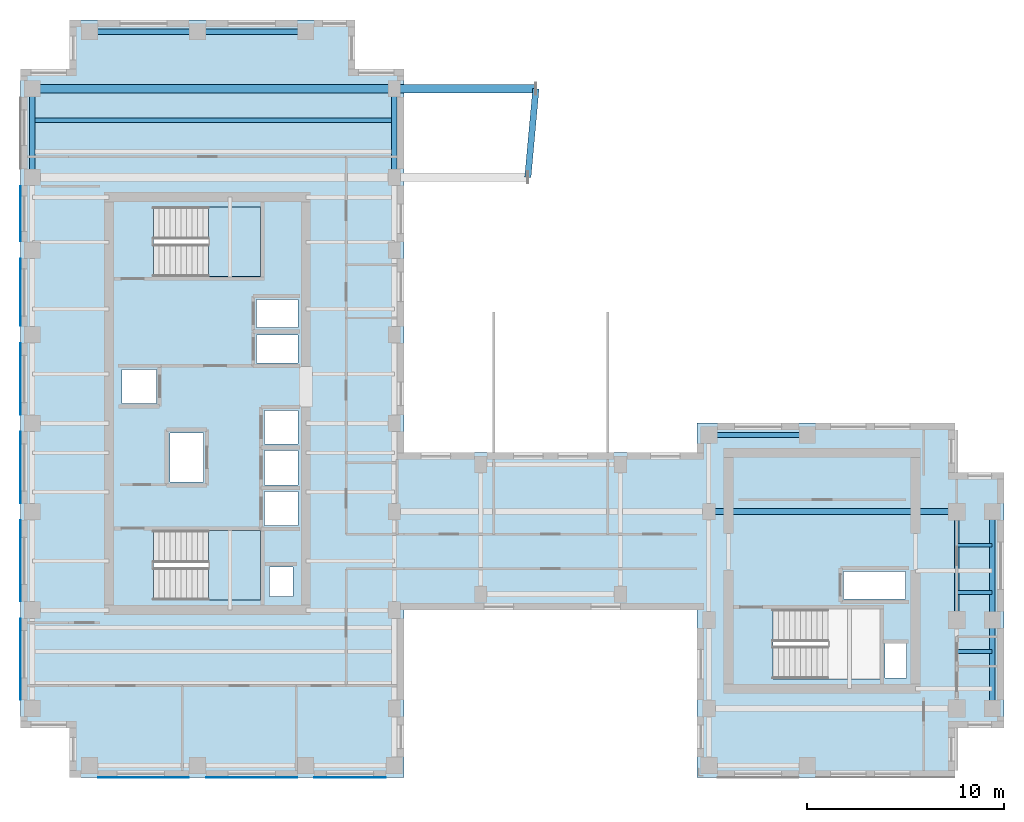
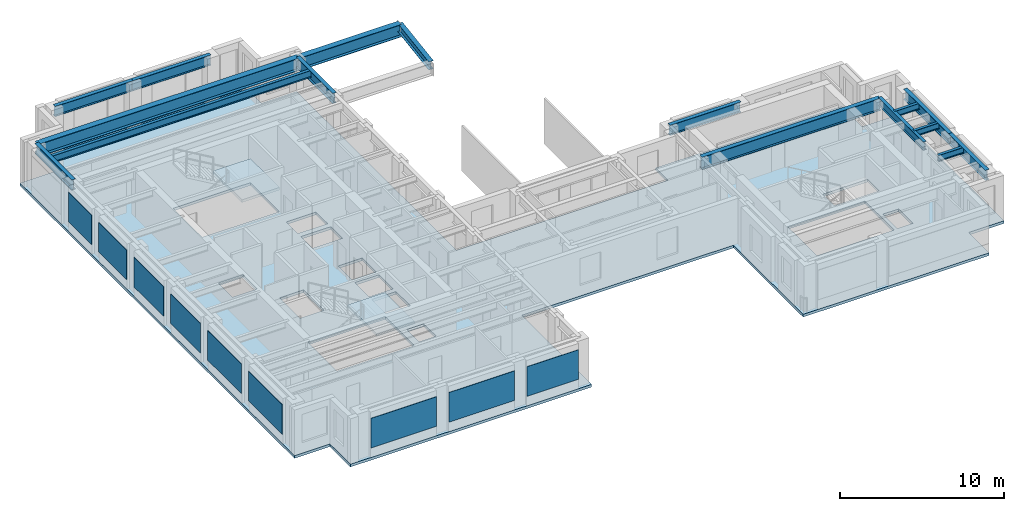
# One storey, part 2 of 11: 16 beams, 9 plates, 3 slabs, 2 elements without a shape of their own.
"""IFC4 building model written with IfcOpenShell, lengths in metres."""

from ifc_helpers import new_model, si_unit, direction, frame, origin, origin_2d, place, context, subcontext, project, spatial, polyline, rectangle, i_section, outline, extrude, source, transform, mapped, material, layer, layer_set, material_profile, profile_set, type_object, element, aggregate, save


model = new_model("IFC4")

# Units and contexts
model_context = context("Model", 3, precision=1e-05, world=origin(), true_north=direction((0.0, 1.0)))
body_context = subcontext(model_context, "Body", "Model", "MODEL_VIEW")
ifc_project = project(units=[si_unit("LENGTHUNIT", "METRE"), si_unit("AREAUNIT", "SQUARE_METRE"), si_unit("VOLUMEUNIT", "CUBIC_METRE"), si_unit("PLANEANGLEUNIT", "RADIAN"), si_unit("MASSUNIT", "GRAM", prefix="KILO")], contexts=[model_context])

# Site, building, storey
site_placement = place(None, origin())
site = spatial("IfcSite", under=ifc_project, at=site_placement, CompositionType="ELEMENT")
building_placement = place(site_placement, origin())
building = spatial("IfcBuilding", under=site, at=building_placement, Name="Kharzan Plaza Tower", CompositionType="ELEMENT")
storey_placement = place(building_placement, frame((0.0, 0.0, 234.0)))
storey = spatial("IfcBuildingStorey", under=building, at=storey_placement, Name="L63", CompositionType="ELEMENT", Elevation=234.0)

# Beams
ifc_material_1 = material(Name="Steel S355", Category="steel")
ifc_material_profile_1 = material_profile(ifc_material_1, i_section(OverallWidth=0.304931640625, OverallDepth=0.9189453125, WebThickness=0.017333984375, FlangeThickness=0.02783203125, at=origin_2d()), Name="W920x253")
ifc_profile_set_1 = profile_set([ifc_material_profile_1], Name="Steel S355")
beam_type_1 = type_object("IfcBeamType", Name="BM-FG920B", PredefinedType="BEAM", material=ifc_profile_set_1)
shared_shape_1 = source(origin(), body_context, "Body", "SweptSolid", [
    extrude(i_section(OverallWidth=0.304931640625, OverallDepth=0.9189453125, WebThickness=0.017333984375, FlangeThickness=0.02783203125, at=origin_2d()), origin(), (0.0, 0.0, 1.0), 12.60009765625),
])
beam_1_placement = place(storey_placement, frame((35.0, 13.5, 2.9404296875), z_axis=(1.0, 0.0, 0.0), x_axis=(0.0, 1.0, 0.0)))
element("IfcBeam", 1, at=beam_1_placement, inside=storey, type_object=beam_type_1, Name="L63 Primary Floor Girder", PredefinedType="BEAM", context=body_context, shape_type="MappedRepresentation", body=[
    mapped(shared_shape_1, transform((0.0, 0.0, 0.0), x_axis=(1.0, 0.0, 0.0), y_axis=(0.0, 1.0, 0.0), z_axis=(0.0, 0.0, 1.0))),
])
ifc_material_profile_2 = material_profile(ifc_material_1, i_section(OverallWidth=0.2099609375, OverallDepth=0.537109375, WebThickness=0.010986328125, FlangeThickness=0.017333984375, at=origin_2d()), Name="W530x101")
ifc_profile_set_2 = profile_set([ifc_material_profile_2], Name="Steel S355")
beam_type_2 = type_object("IfcBeamType", Name="BM-JST530B", PredefinedType="JOIST", material=ifc_profile_set_2)
shared_shape_2 = source(origin(), body_context, "Body", "SweptSolid", [
    extrude(i_section(OverallWidth=0.2099609375, OverallDepth=0.537109375, WebThickness=0.010986328125, FlangeThickness=0.017333984375, at=origin_2d()), origin(), (0.0, 0.0, 1.0), 18.39990234375),
])
beam_2_placement = place(storey_placement, frame((0.60009765625, 33.39990234375, 3.131591796875), z_axis=(1.0, 0.0, 0.0), x_axis=(0.0, 1.0, 0.0)))
element("IfcBeam", 2, at=beam_2_placement, inside=storey, type_object=beam_type_2, Name="L63 Wing A Composite Joist 05", PredefinedType="JOIST", context=body_context, shape_type="MappedRepresentation", body=[
    mapped(shared_shape_2, transform((0.0, 0.0, 0.0), x_axis=(1.0, 0.0, 0.0), y_axis=(0.0, 1.0, 0.0), z_axis=(0.0, 0.0, 1.0))),
])
ifc_material_profile_3 = material_profile(ifc_material_1, i_section(OverallWidth=0.41796875, OverallDepth=0.93701171875, WebThickness=0.019287109375, FlangeThickness=0.031982421875, at=origin_2d()), Name="W920x342")
ifc_profile_set_3 = profile_set([ifc_material_profile_3], Name="Steel S355")
beam_type_3 = type_object("IfcBeamType", Name="BM-ZTB920", PredefinedType="BEAM", material=ifc_profile_set_3)
shared_shape_3 = source(origin(), body_context, "Body", "SweptSolid", [
    extrude(i_section(OverallWidth=0.41796875, OverallDepth=0.93701171875, WebThickness=0.019287109375, FlangeThickness=0.031982421875, at=origin_2d()), origin(), (0.0, 0.0, 1.0), 18.39990234375),
])
beam_3_placement = place(storey_placement, frame((0.60009765625, 35.0, 2.931396484375), z_axis=(1.0, 0.0, 0.0), x_axis=(0.0, 1.0, 0.0)))
element("IfcBeam", 3, at=beam_3_placement, inside=storey, type_object=beam_type_3, Name="L63 Sky-Terrace Back-Span Girder ZTB1 (L64 G2)", PredefinedType="BEAM", context=body_context, shape_type="MappedRepresentation", body=[
    mapped(shared_shape_3, transform((0.0, 0.0, 0.0), x_axis=(1.0, 0.0, 0.0), y_axis=(0.0, 1.0, 0.0), z_axis=(0.0, 0.0, 1.0))),
])
ifc_material_profile_4 = material_profile(ifc_material_1, i_section(OverallWidth=0.41796875, OverallDepth=0.93701171875, WebThickness=0.019287109375, FlangeThickness=0.031982421875, at=origin_2d()), Name="W920x342")
ifc_profile_set_4 = profile_set([ifc_material_profile_4], Name="Steel S355")
beam_type_4 = type_object("IfcBeamType", Name="BM-ZTG920", PredefinedType="BEAM", material=ifc_profile_set_4)
shared_shape_4 = source(origin(), body_context, "Body", "SweptSolid", [
    extrude(i_section(OverallWidth=0.41796875, OverallDepth=0.93701171875, WebThickness=0.019287109375, FlangeThickness=0.031982421875, at=origin_2d()), origin(), (0.0, 0.0, 1.0), 7.199951171875),
])
beam_4_placement = place(storey_placement, frame((19.0, 35.0, 2.91650390625), z_axis=(1.0, 0.0, 0.0), x_axis=(0.0, 1.0, 0.0)))
element("IfcBeam", 4, at=beam_4_placement, inside=storey, type_object=beam_type_4, Name="L63 Sky-Terrace Cantilever Girder ZTG1 (L64 G2)", PredefinedType="BEAM", context=body_context, shape_type="MappedRepresentation", body=[
    mapped(shared_shape_4, transform((0.0, 0.0, 0.0), x_axis=(1.0, 0.0, 0.0), y_axis=(0.0, 1.0, 0.0), z_axis=(0.0, 0.0, 1.0))),
])
ifc_material_profile_5 = material_profile(ifc_material_1, i_section(OverallWidth=0.324951171875, OverallDepth=0.615966796875, WebThickness=0.013916015625, FlangeThickness=0.021484375, at=origin_2d()), Name="W610x174")
ifc_profile_set_5 = profile_set([ifc_material_profile_5], Name="Steel S355")
beam_type_5 = type_object("IfcBeamType", Name="BM-ZTT610", PredefinedType="BEAM", material=ifc_profile_set_5)
shared_shape_5 = source(origin(), body_context, "Body", "SweptSolid", [
    extrude(i_section(OverallWidth=0.324951171875, OverallDepth=0.615966796875, WebThickness=0.013916015625, FlangeThickness=0.021484375, at=origin_2d()), origin(), (0.0, 0.0, 1.0), 4.5185546875),
])
beam_5_placement = place(storey_placement, frame((25.7900390625, 30.5, 3.076904296875), z_axis=(0.09071599143, 0.995876804077, 0.0), x_axis=(-0.995876804077, 0.09071599143, 0.0)))
element("IfcBeam", 5, at=beam_5_placement, inside=storey, type_object=beam_type_5, Name="L63 Sky-Terrace Edge Trimmer Beam ZTT1 (L64)", PredefinedType="BEAM", context=body_context, shape_type="MappedRepresentation", body=[
    mapped(shared_shape_5, transform((0.0, 0.0, 0.0), x_axis=(1.0, 0.0, 0.0), y_axis=(0.0, 1.0, 0.0), z_axis=(0.0, 0.0, 1.0))),
])
ifc_material_profile_6 = material_profile(ifc_material_1, i_section(OverallWidth=0.22900390625, OverallDepth=0.612060546875, WebThickness=0.011962890625, FlangeThickness=0.01953125, at=origin_2d()), Name="W610x125")
ifc_profile_set_6 = profile_set([ifc_material_profile_6], Name="Steel S355")
beam_type_6 = type_object("IfcBeamType", Name="BM-FG610B", PredefinedType="BEAM", material=ifc_profile_set_6)
shared_shape_6 = source(origin(), body_context, "Body", "SweptSolid", [
    extrude(i_section(OverallWidth=0.22900390625, OverallDepth=0.612060546875, WebThickness=0.011962890625, FlangeThickness=0.01953125, at=origin_2d()), origin(), (0.0, 0.0, 1.0), 5.5),
])
beam_6_placement = place(storey_placement, frame((47.60009765625, 8.0, 3.093994140625), z_axis=(0.0, 1.0, 0.0), x_axis=(-1.0, 0.0, 0.0)))
element("IfcBeam", 6, at=beam_6_placement, inside=storey, type_object=beam_type_6, Name="L63 Interior Frame Girder", PredefinedType="BEAM", context=body_context, shape_type="MappedRepresentation", body=[
    mapped(shared_shape_6, transform((0.0, 0.0, 0.0), x_axis=(1.0, 0.0, 0.0), y_axis=(0.0, 1.0, 0.0), z_axis=(0.0, 0.0, 1.0))),
])
ifc_material_profile_7 = material_profile(ifc_material_1, i_section(OverallWidth=0.194091796875, OverallDepth=0.468994140625, WebThickness=0.011474609375, FlangeThickness=0.0205078125, at=origin_2d()), Name="W460x106")
ifc_profile_set_7 = profile_set([ifc_material_profile_7], Name="Steel S355")
beam_type_7 = type_object("IfcBeamType", Name="BM-JST460", PredefinedType="JOIST", material=ifc_profile_set_7)
shared_shape_7 = source(origin(), body_context, "Body", "SweptSolid", [
    extrude(i_section(OverallWidth=0.194091796875, OverallDepth=0.468994140625, WebThickness=0.011474609375, FlangeThickness=0.0205078125, at=origin_2d()), origin(), (0.0, 0.0, 1.0), 1.7998046875),
])
for number, where, z_axis, x_axis, name in (
    (7, (47.60009765625, 6.39990234375, 3.16552734375), (1.0, 0.0, 0.0), (0.0, 1.0, 0.0), "L63 Wing B Composite Joist 02"),
    (8, (47.60009765625, 9.39990234375, 3.16552734375), (1.0, 0.0, 0.0), (0.0, 1.0, 0.0), "L63 Wing B Composite Joist 03"),
    (9, (47.60009765625, 11.800048828125, 3.16552734375), (1.0, 0.0, 0.0), (0.0, 1.0, 0.0), "L63 Wing B Composite Joist 04"),
):
    element("IfcBeam", number, at=place(storey_placement, frame(where, z_axis=z_axis, x_axis=x_axis)), inside=storey, type_object=beam_type_7, Name=name, PredefinedType="JOIST", context=body_context, shape_type="MappedRepresentation", body=[
        mapped(shared_shape_7, transform((0.0, 0.0, 0.0), x_axis=(1.0, 0.0, 0.0), y_axis=(0.0, 1.0, 0.0), z_axis=(0.0, 0.0, 1.0))),
    ])
ifc_material_profile_8 = material_profile(ifc_material_1, i_section(OverallWidth=0.26708984375, OverallDepth=0.76611328125, WebThickness=0.014892578125, FlangeThickness=0.023681640625, at=origin_2d()), Name="W760x185")
ifc_profile_set_8 = profile_set([ifc_material_profile_8], Name="Steel S355")
beam_type_8 = type_object("IfcBeamType", Name="BM-SP760B", PredefinedType="SPANDREL", material=ifc_profile_set_8)
shared_shape_8 = source(origin(), body_context, "Body", "SweptSolid", [
    extrude(i_section(OverallWidth=0.26708984375, OverallDepth=0.76611328125, WebThickness=0.014892578125, FlangeThickness=0.023681640625, at=origin_2d()), origin(), (0.0, 0.0, 1.0), 5.0),
])
beam_7_placement = place(storey_placement, frame((35.0, 17.39990234375, 3.01708984375), z_axis=(1.0, 0.0, 0.0), x_axis=(0.0, 1.0, 0.0)))
element("IfcBeam", 10, at=beam_7_placement, inside=storey, type_object=beam_type_8, Name="L63 Perimeter Tube Spandrel", PredefinedType="SPANDREL", context=body_context, shape_type="MappedRepresentation", body=[
    mapped(shared_shape_8, transform((0.0, 0.0, 0.0), x_axis=(1.0, 0.0, 0.0), y_axis=(0.0, 1.0, 0.0), z_axis=(0.0, 0.0, 1.0))),
])
shared_shape_9 = source(origin(), body_context, "Body", "SweptSolid", [
    extrude(i_section(OverallWidth=0.26708984375, OverallDepth=0.76611328125, WebThickness=0.014892578125, FlangeThickness=0.023681640625, at=origin_2d()), origin(), (0.0, 0.0, 1.0), 4.5),
])
for number, where, z_axis, x_axis, name in (
    (11, (0.60009765625, 30.5, 3.01708984375), (0.0, 1.0, 0.0), (-1.0, 0.0, 0.0), "L63 Perimeter Tube Spandrel"),
    (12, (19.0, 30.5, 3.01708984375), (0.0, 1.0, 0.0), (-1.0, 0.0, 0.0), "L63 Perimeter Tube Spandrel"),
    (13, (49.39990234375, 3.5, 3.01708984375), (0.0, 1.0, 0.0), (-1.0, 0.0, 0.0), "L63 Perimeter Tube Spandrel"),
):
    element("IfcBeam", number, at=place(storey_placement, frame(where, z_axis=z_axis, x_axis=x_axis)), inside=storey, type_object=beam_type_8, Name=name, PredefinedType="SPANDREL", context=body_context, shape_type="MappedRepresentation", body=[
        mapped(shared_shape_9, transform((0.0, 0.0, 0.0), x_axis=(1.0, 0.0, 0.0), y_axis=(0.0, 1.0, 0.0), z_axis=(0.0, 0.0, 1.0))),
    ])
shared_shape_10 = source(origin(), body_context, "Body", "SweptSolid", [
    extrude(i_section(OverallWidth=0.26708984375, OverallDepth=0.76611328125, WebThickness=0.014892578125, FlangeThickness=0.023681640625, at=origin_2d()), origin(), (0.0, 0.0, 1.0), 5.5),
])
for number, where, z_axis, x_axis, name in (
    (14, (49.39990234375, 8.0, 3.01708984375), (0.0, 1.0, 0.0), (-1.0, 0.0, 0.0), "L63 Perimeter Tube Spandrel"),
    (15, (3.5, 37.89990234375, 3.01708984375), (1.0, 0.0, 0.0), (0.0, 1.0, 0.0), "L63 Perimeter Tube Spandrel"),
    (16, (9.0, 37.89990234375, 3.01708984375), (1.0, 0.0, 0.0), (0.0, 1.0, 0.0), "L63 Perimeter Tube Spandrel"),
):
    element("IfcBeam", number, at=place(storey_placement, frame(where, z_axis=z_axis, x_axis=x_axis)), inside=storey, type_object=beam_type_8, Name=name, PredefinedType="SPANDREL", context=body_context, shape_type="MappedRepresentation", body=[
        mapped(shared_shape_10, transform((0.0, 0.0, 0.0), x_axis=(1.0, 0.0, 0.0), y_axis=(0.0, 1.0, 0.0), z_axis=(0.0, 0.0, 1.0))),
    ])

# Slab
ifc_material_2 = material(Name="Concrete C40/50", Category="concrete")
ifc_layer_1 = layer(ifc_material_2, 0.199951171875)
ifc_layer_set_1 = layer_set([ifc_layer_1], Name="Concrete C40/50")
slab_type_1 = type_object("IfcSlabType", Name="SL-FLOOR-200", PredefinedType="FLOOR", material=ifc_layer_set_1)
slab_1_placement = place(storey_placement, frame((0.0, 0.0, -0.199951171875)))
element("IfcSlab", 17, at=slab_1_placement, inside=storey, type_object=slab_type_1, Name="L63 Composite Structural Floor Slab 200 mm", PredefinedType="FLOOR", context=body_context, shape_type="SweptSolid", body=[
    extrude(outline(polyline([(34.39990234375, 16.5), (19.5, 16.5), (19.5, 36.0), (17.0, 36.0), (17.0, 38.5), (2.5, 38.5), (2.5, 36.0), (0.0, 36.0), (0.0, 2.5), (2.5, 2.5), (2.5, 0.0), (19.5, 0.0), (19.5, 8.5), (34.39990234375, 8.5), (34.39990234375, 0.0), (47.5, 0.0), (47.5, 2.5), (50.0, 2.5), (50.0, 15.5), (47.5, 15.5), (47.5, 18.0), (34.39990234375, 18.0), (34.39990234375, 16.5)]), holes=[polyline([(12.199951171875, 12.550048828125), (6.75, 12.550048828125), (6.75, 9.0), (12.199951171875, 9.0), (12.199951171875, 12.550048828125)]), polyline([(14.10009765625, 12.800048828125), (14.10009765625, 14.530029296875), (12.39990234375, 14.530029296875), (12.39990234375, 12.800048828125), (14.10009765625, 12.800048828125)]), polyline([(9.300048828125, 15.0), (9.300048828125, 17.5), (7.60009765625, 17.5), (7.60009765625, 15.0), (9.300048828125, 15.0)]), polyline([(6.89990234375, 20.72998046875), (5.14990234375, 20.72998046875), (5.14990234375, 19.010009765625), (6.89990234375, 19.010009765625), (6.89990234375, 20.72998046875)]), polyline([(14.10009765625, 21.070068359375), (14.10009765625, 22.489990234375), (12.0, 22.489990234375), (12.0, 21.070068359375), (14.10009765625, 21.070068359375)]), polyline([(14.10009765625, 22.8701171875), (14.10009765625, 24.2900390625), (12.0, 24.2900390625), (12.0, 22.8701171875), (14.10009765625, 22.8701171875)]), polyline([(12.199951171875, 29.0), (6.75, 29.0), (6.75, 25.449951171875), (12.199951171875, 25.449951171875), (12.199951171875, 29.0)]), polyline([(45.050048828125, 5.050048828125), (45.050048828125, 6.800048828125), (43.949951171875, 6.800048828125), (43.949951171875, 5.050048828125), (45.050048828125, 5.050048828125)]), polyline([(43.699951171875, 5.0), (43.699951171875, 8.550048828125), (38.25, 8.550048828125), (38.25, 5.0), (43.699951171875, 5.0)]), polyline([(45.0, 9.070068359375), (45.0, 10.469970703125), (41.85009765625, 10.469970703125), (41.85009765625, 9.070068359375), (45.0, 9.070068359375)]), polyline([(13.85009765625, 9.199951171875), (13.85009765625, 10.699951171875), (12.64990234375, 10.699951171875), (12.64990234375, 9.199951171875), (13.85009765625, 9.199951171875)]), polyline([(14.10009765625, 14.8701171875), (14.10009765625, 16.60009765625), (12.39990234375, 16.60009765625), (12.39990234375, 14.8701171875), (14.10009765625, 14.8701171875)]), polyline([(14.10009765625, 16.93994140625), (14.10009765625, 18.64990234375), (12.39990234375, 18.64990234375), (12.39990234375, 16.93994140625), (14.10009765625, 16.93994140625)])]), origin(), (0.0, 0.0, 1.0), 0.199951171875),
])

# Stair, slab
stair_type_1 = type_object("IfcStairType", Name="STR-ST-1", PredefinedType="HALF_TURN_STAIR", material=ifc_material_2)
stair_1_placement = place(storey_placement, origin())
stair_1 = element("IfcStair", 18, at=stair_1_placement, inside=storey, type_object=stair_type_1, Name="L63 Protected Exit Stair ST-1", PredefinedType="HALF_TURN_STAIR")
ifc_layer_2 = layer(ifc_material_2, 0.219970703125)
ifc_layer_set_2 = layer_set([ifc_layer_2], Name="Concrete C40/50")
slab_type_2 = type_object("IfcSlabType", Name="SL-LANDING-220", PredefinedType="LANDING", material=ifc_layer_set_2)
slab_2_placement = place(storey_placement, frame((0.0, 0.0, 1.60009765625)))
slab_2 = element("IfcSlab", 19, at=slab_2_placement, type_object=slab_type_2, Name="ST-1 landing 1", PredefinedType="LANDING", context=body_context, shape_type="SweptSolid", body=[
    extrude(outline(polyline([(9.550048828125, 9.0), (12.199951171875, 9.0), (12.199951171875, 12.550048828125), (9.550048828125, 12.550048828125), (9.550048828125, 9.0)])), origin(), (0.0, 0.0, 1.0), 0.199951171875),
])
aggregate(stair_1, [slab_2])

stair_type_2 = type_object("IfcStairType", Name="STR-ST-2", PredefinedType="HALF_TURN_STAIR", material=ifc_material_2)
stair_2_placement = place(storey_placement, origin())
stair_2 = element("IfcStair", 20, at=stair_2_placement, inside=storey, type_object=stair_type_2, Name="L63 Protected Exit Stair ST-2", PredefinedType="HALF_TURN_STAIR")
slab_3_placement = place(storey_placement, frame((0.0, 0.0, 1.60009765625)))
slab_3 = element("IfcSlab", 21, at=slab_3_placement, type_object=slab_type_2, Name="ST-2 landing 1", PredefinedType="LANDING", context=body_context, shape_type="SweptSolid", body=[
    extrude(outline(polyline([(9.550048828125, 25.449951171875), (12.199951171875, 25.449951171875), (12.199951171875, 29.0), (9.550048828125, 29.0), (9.550048828125, 25.449951171875)])), origin(), (0.0, 0.0, 1.0), 0.199951171875),
])
aggregate(stair_2, [slab_3])

# Plates
ifc_material_3 = material(Name="Perforated Bronze-Anodized Aluminium", Category="aluminium")
ifc_layer_3 = layer(ifc_material_3, 0.030029296875)
ifc_layer_set_3 = layer_set([ifc_layer_3], Name="Perforated Bronze-Anodized Aluminium")
plate_type = type_object("IfcPlateType", Name="PLT-MASH-SCREEN", PredefinedType="SHEET", material=ifc_layer_set_3)
shared_shape_11 = source(origin(), body_context, "Body", "SweptSolid", [
    extrude(rectangle(XDim=3.614013671875, YDim=0.030029296875, at=origin_2d()), origin(), (0.0, 0.0, 1.0), 2.199951171875),
])
for number, where, z_axis, x_axis, name in (
    (22, (-0.012939453125, 20.25, 0.72998046875), (0.0, 0.0, 1.0), (0.0, -1.0, 0.0), "L63 Perforated Mashrabiya Solar Screen"),
    (23, (-0.012939453125, 15.75, 0.72998046875), (0.0, 0.0, 1.0), (0.0, -1.0, 0.0), "L63 Perforated Mashrabiya Solar Screen"),
    (24, (16.75, -0.012939453125, 0.72998046875), (0.0, 0.0, 1.0), (1.0, 0.0, 0.0), "L63 Perforated Mashrabiya Solar Screen"),
):
    element("IfcPlate", number, at=place(storey_placement, frame(where, z_axis=z_axis, x_axis=x_axis)), inside=storey, type_object=plate_type, Name=name, PredefinedType="SHEET", context=body_context, shape_type="MappedRepresentation", body=[
        mapped(shared_shape_11, transform((0.0, 0.0, 0.0), x_axis=(1.0, 0.0, 0.0), y_axis=(0.0, 1.0, 0.0), z_axis=(0.0, 0.0, 1.0))),
    ])
shared_shape_12 = source(origin(), body_context, "Body", "SweptSolid", [
    extrude(rectangle(XDim=2.81396484375, YDim=0.030029296875, at=origin_2d()), origin(), (0.0, 0.0, 1.0), 2.199951171875),
])
plate_1_placement = place(storey_placement, frame((-0.012939453125, 28.64990234375, 0.72998046875), z_axis=(0.0, 0.0, 1.0), x_axis=(0.0, -1.0, 0.0)))
element("IfcPlate", 25, at=plate_1_placement, inside=storey, type_object=plate_type, Name="L63 Perforated Mashrabiya Solar Screen", PredefinedType="SHEET", context=body_context, shape_type="MappedRepresentation", body=[
    mapped(shared_shape_12, transform((0.0, 0.0, 0.0), x_axis=(1.0, 0.0, 0.0), y_axis=(0.0, 1.0, 0.0), z_axis=(0.0, 0.0, 1.0))),
])
shared_shape_13 = source(origin(), body_context, "Body", "SweptSolid", [
    extrude(rectangle(XDim=4.114013671875, YDim=0.030029296875, at=origin_2d()), origin(), (0.0, 0.0, 1.0), 2.199951171875),
])
for number, where, z_axis, x_axis, name in (
    (26, (-0.012939453125, 11.0, 0.72998046875), (0.0, 0.0, 1.0), (0.0, -1.0, 0.0), "L63 Perforated Mashrabiya Solar Screen"),
    (27, (-0.012939453125, 6.0, 0.72998046875), (0.0, 0.0, 1.0), (0.0, -1.0, 0.0), "L63 Perforated Mashrabiya Solar Screen"),
):
    element("IfcPlate", number, at=place(storey_placement, frame(where, z_axis=z_axis, x_axis=x_axis)), inside=storey, type_object=plate_type, Name=name, PredefinedType="SHEET", context=body_context, shape_type="MappedRepresentation", body=[
        mapped(shared_shape_13, transform((0.0, 0.0, 0.0), x_axis=(1.0, 0.0, 0.0), y_axis=(0.0, 1.0, 0.0), z_axis=(0.0, 0.0, 1.0))),
    ])
shared_shape_14 = source(origin(), body_context, "Body", "SweptSolid", [
    extrude(rectangle(XDim=4.614013671875, YDim=0.030029296875, at=origin_2d()), origin(), (0.0, 0.0, 1.0), 2.199951171875),
])
for number, where, z_axis, x_axis, name in (
    (28, (6.25, -0.012939453125, 0.72998046875), (0.0, 0.0, 1.0), (1.0, 0.0, 0.0), "L63 Perforated Mashrabiya Solar Screen"),
    (29, (11.75, -0.012939453125, 0.72998046875), (0.0, 0.0, 1.0), (1.0, 0.0, 0.0), "L63 Perforated Mashrabiya Solar Screen"),
):
    element("IfcPlate", number, at=place(storey_placement, frame(where, z_axis=z_axis, x_axis=x_axis)), inside=storey, type_object=plate_type, Name=name, PredefinedType="SHEET", context=body_context, shape_type="MappedRepresentation", body=[
        mapped(shared_shape_14, transform((0.0, 0.0, 0.0), x_axis=(1.0, 0.0, 0.0), y_axis=(0.0, 1.0, 0.0), z_axis=(0.0, 0.0, 1.0))),
    ])
shared_shape_15 = source(origin(), body_context, "Body", "SweptSolid", [
    extrude(rectangle(XDim=3.4140625, YDim=0.030029296875, at=origin_2d()), origin(), (0.0, 0.0, 1.0), 2.199951171875),
])
plate_2_placement = place(storey_placement, frame((-0.012939453125, 24.64990234375, 0.72998046875), z_axis=(0.0, 0.0, 1.0), x_axis=(0.0, -1.0, 0.0)))
element("IfcPlate", 30, at=plate_2_placement, inside=storey, type_object=plate_type, Name="L63 Perforated Mashrabiya Solar Screen", PredefinedType="SHEET", context=body_context, shape_type="MappedRepresentation", body=[
    mapped(shared_shape_15, transform((0.0, 0.0, 0.0), x_axis=(1.0, 0.0, 0.0), y_axis=(0.0, 1.0, 0.0), z_axis=(0.0, 0.0, 1.0))),
])

save(model, "model.ifc")
